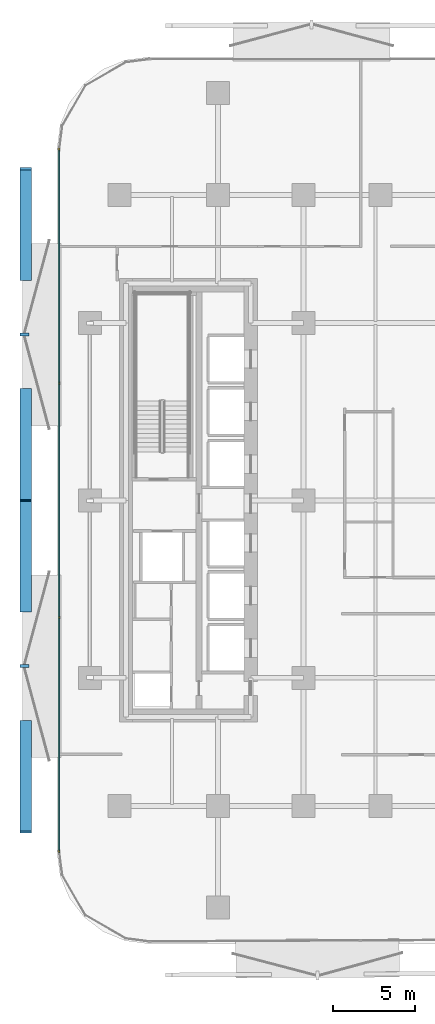
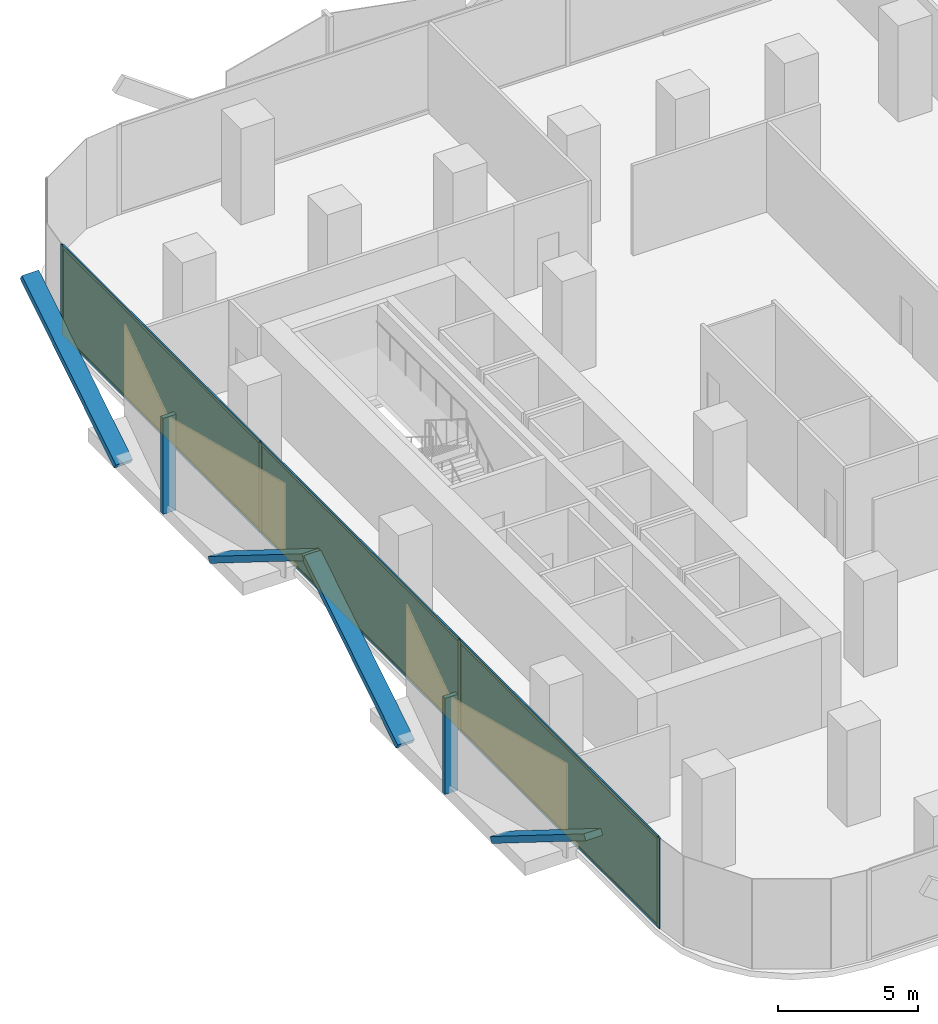
# One storey, part 8 of 15: 16 members, 3 plates, 1 curtain wall.
"""IFC4 building model written with IfcOpenShell, lengths in metres."""

from ifc_helpers import new_model, si_unit, direction, frame, frame_2d, origin, origin_2d, place, context, subcontext, project, spatial, rectangle, extrude, material, layer, layer_set, material_profile, profile_set, type_object, element, aggregate, save


model = new_model("IFC4")

# Units and contexts
model_context = context("Model", 3, precision=1e-05, world=origin(), true_north=direction((0.0, 1.0)))
body_context = subcontext(model_context, "Body", "Model", "MODEL_VIEW")
ifc_project = project(units=[si_unit("LENGTHUNIT", "METRE"), si_unit("AREAUNIT", "SQUARE_METRE"), si_unit("VOLUMEUNIT", "CUBIC_METRE"), si_unit("PLANEANGLEUNIT", "RADIAN"), si_unit("MASSUNIT", "GRAM", prefix="KILO")], contexts=[model_context])

# Member
ifc_material_1 = material(Name="Anodised Bronze Aluminium 6063-T6", Category="aluminium")
ifc_material_profile_1 = material_profile(ifc_material_1, rectangle(XDim=0.260009765625, YDim=0.699951171875, at=origin_2d()))
ifc_profile_set_1 = profile_set([ifc_material_profile_1], Name="Anodised Bronze Aluminium 6063-T6")
member_type_1 = type_object("IfcMemberType", Name="Bronze Diamond Solar-Screen Lattice Rib BDL-700", PredefinedType="MULLION", material=ifc_profile_set_1)
site_placement = place(None, origin())
building_placement = place(site_placement, origin())
storey_placement = place(building_placement, frame((0.0, 0.0, 72.199951171875)))
member_1_placement = place(storey_placement, frame((-26.10009765625, -6.730224609375, -0.1298828125), z_axis=(0.0, 0.848362902952, 0.529415134744), x_axis=(0.0, -0.529415134744, 0.848362902952)))
member_1 = element("IfcMember", 1, at=member_1_placement, type_object=member_type_1, Name="L17 Bronze Diamond Solar Screen Lattice Rib 91A", PredefinedType="MULLION", context=body_context, shape_type="SweptSolid", body=[
    extrude(rectangle(XDim=0.260009765625, YDim=0.699951171875, at=origin_2d()), origin(), (0.0, 0.0, 1.0), 7.93310546875),
])

member_2_placement = place(storey_placement, frame((-26.10009765625, -13.46044921875, -0.1298828125), z_axis=(0.0, -0.848371528126, 0.529401313057), x_axis=(0.0, 0.529401313057, 0.848371528126)))
member_2 = element("IfcMember", 2, at=member_2_placement, type_object=member_type_1, Name="L17 Bronze Diamond Solar Screen Lattice Rib 91B", PredefinedType="MULLION", context=body_context, shape_type="SweptSolid", body=[
    extrude(rectangle(XDim=0.260009765625, YDim=0.699951171875, at=origin_2d()), origin(), (0.0, 0.0, 1.0), 7.933349609375),
])

member_3_placement = place(storey_placement, frame((-26.10009765625, 13.46044921875, -0.1298828125), z_axis=(0.0, 0.848371528126, 0.529401313057), x_axis=(0.0, -0.529401313057, 0.848371528126)))
member_3 = element("IfcMember", 3, at=member_3_placement, type_object=member_type_1, Name="L17 Bronze Diamond Solar Screen Lattice Rib 92A", PredefinedType="MULLION", context=body_context, shape_type="SweptSolid", body=[
    extrude(rectangle(XDim=0.260009765625, YDim=0.699951171875, at=origin_2d()), origin(), (0.0, 0.0, 1.0), 7.933349609375),
])

member_4_placement = place(storey_placement, frame((-26.10009765625, 6.730224609375, -0.1298828125), z_axis=(0.0, -0.848362902952, 0.529415134744), x_axis=(0.0, 0.529415134744, 0.848362902952)))
member_4 = element("IfcMember", 4, at=member_4_placement, type_object=member_type_1, Name="L17 Bronze Diamond Solar Screen Lattice Rib 92B", PredefinedType="MULLION", context=body_context, shape_type="SweptSolid", body=[
    extrude(rectangle(XDim=0.260009765625, YDim=0.699951171875, at=origin_2d()), origin(), (0.0, 0.0, 1.0), 7.93310546875),
])

ifc_material_2 = material(Name="Anodised Bronze Aluminium 6063-T6", Category="aluminium")
ifc_material_profile_2 = material_profile(ifc_material_2, rectangle(XDim=0.179931640625, YDim=0.5400390625, at=origin_2d()))
ifc_profile_set_2 = profile_set([ifc_material_profile_2], Name="Anodised Bronze Aluminium 6063-T6")
member_type_2 = type_object("IfcMemberType", Name="Bronze Solar-Screen Vertical Fold Fin BSF-540", PredefinedType="MULLION", material=ifc_profile_set_2)
member_5_placement = place(storey_placement, frame((-26.179931640625, -10.095458984375, -0.1298828125), z_axis=(0.0, 0.0, 1.0), x_axis=(0.0, 1.0, 0.0)))
member_5 = element("IfcMember", 5, at=member_5_placement, type_object=member_type_2, Name="L17 Bronze Solar Screen Vertical Fin 91", PredefinedType="MULLION", context=body_context, shape_type="SweptSolid", body=[
    extrude(rectangle(XDim=0.179931640625, YDim=0.5400390625, at=origin_2d()), origin(), (0.0, 0.0, 1.0), 4.199951171875),
])

member_6_placement = place(storey_placement, frame((-26.179931640625, 10.095458984375, -0.1298828125), z_axis=(0.0, 0.0, 1.0), x_axis=(0.0, 1.0, 0.0)))
member_6 = element("IfcMember", 6, at=member_6_placement, type_object=member_type_2, Name="L17 Bronze Solar Screen Vertical Fin 92", PredefinedType="MULLION", context=body_context, shape_type="SweptSolid", body=[
    extrude(rectangle(XDim=0.179931640625, YDim=0.5400390625, at=origin_2d()), origin(), (0.0, 0.0, 1.0), 4.199951171875),
])

ifc_material_3 = material(Name="Anodised Bronze Aluminium 6063-T6", Category="aluminium")
ifc_material_profile_3 = material_profile(ifc_material_3, rectangle(XDim=0.06494140625, YDim=0.179931640625, at=origin_2d()))
ifc_profile_set_3 = profile_set([ifc_material_profile_3], Name="Anodised Bronze Aluminium 6063-T6")
member_type_3 = type_object("IfcMemberType", Name="CW-Z1 Mullion 65x180", PredefinedType="MULLION", material=ifc_profile_set_3)
member_7_placement = place(storey_placement, frame((-24.06005859375, -21.3583984375, 0.0), z_axis=(0.0, 0.0, 1.0), x_axis=(-1.0, 0.0, 0.0)))
member_7 = element("IfcMember", 7, at=member_7_placement, type_object=member_type_3, Name="CW-Z1 mullion 1", PredefinedType="MULLION", context=body_context, shape_type="SweptSolid", body=[
    extrude(rectangle(XDim=0.06494140625, YDim=0.179931640625, at=origin_2d()), origin(), (0.0, 0.0, 1.0), 3.93994140625),
])

member_8_placement = place(storey_placement, frame((-24.06005859375, -7.13037109375, 0.0), z_axis=(0.0, 0.0, 1.0), x_axis=(-1.0, 0.0, 0.0)))
member_8 = element("IfcMember", 8, at=member_8_placement, type_object=member_type_3, Name="CW-Z1 mullion 2", PredefinedType="MULLION", context=body_context, shape_type="SweptSolid", body=[
    extrude(rectangle(XDim=0.06494140625, YDim=0.179931640625, at=origin_2d()), origin(), (0.0, 0.0, 1.0), 3.93994140625),
])

member_9_placement = place(storey_placement, frame((-24.06005859375, 7.13037109375, 0.0), z_axis=(0.0, 0.0, 1.0), x_axis=(-1.0, 0.0, 0.0)))
member_9 = element("IfcMember", 9, at=member_9_placement, type_object=member_type_3, Name="CW-Z1 mullion 3", PredefinedType="MULLION", context=body_context, shape_type="SweptSolid", body=[
    extrude(rectangle(XDim=0.06494140625, YDim=0.179931640625, at=origin_2d()), origin(), (0.0, 0.0, 1.0), 3.93994140625),
])

member_10_placement = place(storey_placement, frame((-24.06005859375, 21.3583984375, 0.0), z_axis=(0.0, 0.0, 1.0), x_axis=(-1.0, 0.0, 0.0)))
member_10 = element("IfcMember", 10, at=member_10_placement, type_object=member_type_3, Name="CW-Z1 mullion 4", PredefinedType="MULLION", context=body_context, shape_type="SweptSolid", body=[
    extrude(rectangle(XDim=0.06494140625, YDim=0.179931640625, at=origin_2d()), origin(), (0.0, 0.0, 1.0), 3.93994140625),
])

ifc_material_4 = material(Name="Anodised Bronze Aluminium 6063-T6", Category="aluminium")
ifc_material_profile_4 = material_profile(ifc_material_4, rectangle(XDim=0.06494140625, YDim=0.139892578125, at=origin_2d()))
ifc_profile_set_4 = profile_set([ifc_material_profile_4], Name="Anodised Bronze Aluminium 6063-T6")
member_type_4 = type_object("IfcMemberType", Name="CW-Z1 Transom 65x140", PredefinedType="USERDEFINED", material=ifc_profile_set_4)
member_11_placement = place(storey_placement, frame((-24.06005859375, -21.32568359375, 0.032470703125), z_axis=(0.0, 1.0, 0.0), x_axis=(-1.0, 0.0, 0.0)))
member_11 = element("IfcMember", 11, at=member_11_placement, type_object=member_type_4, Name="CW-Z1 transom 1.1", ObjectType="TRANSOM", PredefinedType="USERDEFINED", context=body_context, shape_type="SweptSolid", body=[
    extrude(rectangle(XDim=0.06494140625, YDim=0.139892578125, at=origin_2d()), origin(), (0.0, 0.0, 1.0), 14.162841796875),
])

member_12_placement = place(storey_placement, frame((-24.06005859375, -21.32568359375, 3.907470703125), z_axis=(0.0, 1.0, 0.0), x_axis=(-1.0, 0.0, 0.0)))
member_12 = element("IfcMember", 12, at=member_12_placement, type_object=member_type_4, Name="CW-Z1 transom 1.2", ObjectType="TRANSOM", PredefinedType="USERDEFINED", context=body_context, shape_type="SweptSolid", body=[
    extrude(rectangle(XDim=0.06494140625, YDim=0.139892578125, at=origin_2d()), origin(), (0.0, 0.0, 1.0), 14.162841796875),
])

member_13_placement = place(storey_placement, frame((-24.06005859375, -7.09765625, 0.032470703125), z_axis=(0.0, 1.0, 0.0), x_axis=(-1.0, 0.0, 0.0)))
member_13 = element("IfcMember", 13, at=member_13_placement, type_object=member_type_4, Name="CW-Z1 transom 2.1", ObjectType="TRANSOM", PredefinedType="USERDEFINED", context=body_context, shape_type="SweptSolid", body=[
    extrude(rectangle(XDim=0.06494140625, YDim=0.139892578125, at=origin_2d()), origin(), (0.0, 0.0, 1.0), 14.1953125),
])

member_14_placement = place(storey_placement, frame((-24.06005859375, -7.09765625, 3.907470703125), z_axis=(0.0, 1.0, 0.0), x_axis=(-1.0, 0.0, 0.0)))
member_14 = element("IfcMember", 14, at=member_14_placement, type_object=member_type_4, Name="CW-Z1 transom 2.2", ObjectType="TRANSOM", PredefinedType="USERDEFINED", context=body_context, shape_type="SweptSolid", body=[
    extrude(rectangle(XDim=0.06494140625, YDim=0.139892578125, at=origin_2d()), origin(), (0.0, 0.0, 1.0), 14.1953125),
])

member_15_placement = place(storey_placement, frame((-24.06005859375, 7.162841796875, 0.032470703125), z_axis=(0.0, 1.0, 0.0), x_axis=(-1.0, 0.0, 0.0)))
member_15 = element("IfcMember", 15, at=member_15_placement, type_object=member_type_4, Name="CW-Z1 transom 3.1", ObjectType="TRANSOM", PredefinedType="USERDEFINED", context=body_context, shape_type="SweptSolid", body=[
    extrude(rectangle(XDim=0.06494140625, YDim=0.139892578125, at=origin_2d()), origin(), (0.0, 0.0, 1.0), 14.162841796875),
])

member_16_placement = place(storey_placement, frame((-24.06005859375, 7.162841796875, 3.907470703125), z_axis=(0.0, 1.0, 0.0), x_axis=(-1.0, 0.0, 0.0)))
member_16 = element("IfcMember", 16, at=member_16_placement, type_object=member_type_4, Name="CW-Z1 transom 3.2", ObjectType="TRANSOM", PredefinedType="USERDEFINED", context=body_context, shape_type="SweptSolid", body=[
    extrude(rectangle(XDim=0.06494140625, YDim=0.139892578125, at=origin_2d()), origin(), (0.0, 0.0, 1.0), 14.162841796875),
])

# Plate
ifc_material_5 = material(Name="Low-E Solar Control Laminated Glass", Category="glass")
ifc_layer_1 = layer(ifc_material_5, 0.028076171875, Name="Low-E Solar Control Laminated Glass")
ifc_layer_set_1 = layer_set([ifc_layer_1], Name="Low-E Solar Control Laminated Glass")
plate_type = type_object("IfcPlateType", Name="CW-Z1 Low-E Double Glazed Panel 28mm", PredefinedType="CURTAIN_PANEL", material=ifc_layer_set_1)
plate_1_placement = place(storey_placement, frame((-24.06005859375, -14.244384765625, 0.06494140625), z_axis=(0.0, 0.0, 1.0), x_axis=(0.0, 1.0, 0.0)))
plate_1 = element("IfcPlate", 17, at=plate_1_placement, type_object=plate_type, Name="CW-Z1 panel 1.1", PredefinedType="CURTAIN_PANEL", context=body_context, shape_type="SweptSolid", body=[
    extrude(rectangle(XDim=14.1630859375, YDim=0.028076171875, at=origin_2d()), origin(), (0.0, 0.0, 1.0), 3.81005859375),
])

plate_2_placement = place(storey_placement, frame((-24.06005859375, 0.0, 0.06494140625), z_axis=(0.0, 0.0, 1.0), x_axis=(0.0, 1.0, 0.0)))
plate_2 = element("IfcPlate", 18, at=plate_2_placement, type_object=plate_type, Name="CW-Z1 panel 2.1", PredefinedType="CURTAIN_PANEL", context=body_context, shape_type="SweptSolid", body=[
    extrude(rectangle(XDim=14.195556640625, YDim=0.028076171875, at=origin_2d()), origin(), (0.0, 0.0, 1.0), 3.81005859375),
])

plate_3_placement = place(storey_placement, frame((-24.06005859375, 14.244384765625, 0.06494140625), z_axis=(0.0, 0.0, 1.0), x_axis=(0.0, 1.0, 0.0)))
plate_3 = element("IfcPlate", 19, at=plate_3_placement, type_object=plate_type, Name="CW-Z1 panel 3.1", PredefinedType="CURTAIN_PANEL", context=body_context, shape_type="SweptSolid", body=[
    extrude(rectangle(XDim=14.1630859375, YDim=0.028076171875, at=origin_2d()), origin(), (0.0, 0.0, 1.0), 3.81005859375),
])

# Site, building, storey
site = spatial("IfcSite", under=ifc_project, at=site_placement, CompositionType="ELEMENT")
building = spatial("IfcBuilding", under=site, at=building_placement, Name="Khairoan Windgate Tower", CompositionType="ELEMENT")
storey = spatial("IfcBuildingStorey", under=building, at=storey_placement, Name="L17", CompositionType="ELEMENT", Elevation=72.199951171875)

# Curtain wall
ifc_material_6 = material(Name="Anodised Bronze Aluminium 6063-T6", Category="aluminium")
ifc_layer_2 = layer(ifc_material_6, 0.179931640625, Name="Anodised Bronze Aluminium 6063-T6")
ifc_layer_set_2 = layer_set([ifc_layer_2], Name="Anodised Bronze Aluminium 6063-T6")
curtain_wall_type = type_object("IfcCurtainWallType", Name="Low-Rise Office Unitised Curtain Wall CW-Z1", PredefinedType="NOTDEFINED", material=ifc_layer_set_2)
curtain_wall_placement = place(storey_placement, frame((-24.06005859375, -21.390869140625, 0.0), z_axis=(0.0, 0.0, 1.0), x_axis=(0.0, 1.0, 0.0)))
curtain_wall = element("IfcCurtainWall", 20, at=curtain_wall_placement, inside=storey, type_object=curtain_wall_type, Name="L17 Unitised Curtain Wall 6", PredefinedType="NOTDEFINED", context=body_context, shape_type="SweptSolid", body=[
    extrude(rectangle(XDim=42.78173828125, YDim=0.010009765625, at=frame_2d((21.390869140625, 0.0))), origin(), (0.0, 0.0, 1.0), 3.93994140625),
])

aggregate(curtain_wall, [member_7, member_8, member_9, member_10, member_11, member_12, plate_1, member_13, member_14, plate_2, member_15, member_16, plate_3, member_1, member_2, member_5, member_3, member_4, member_6])

save(model, "model.ifc")
